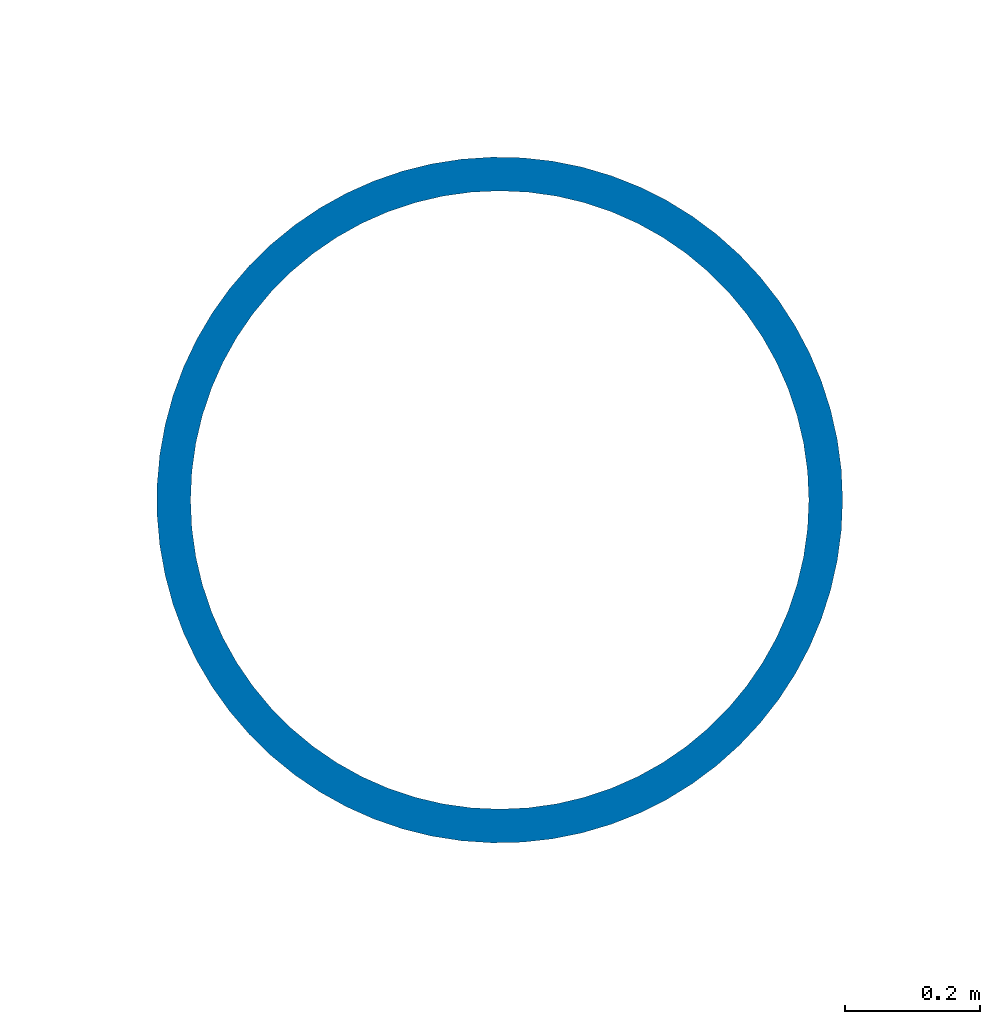
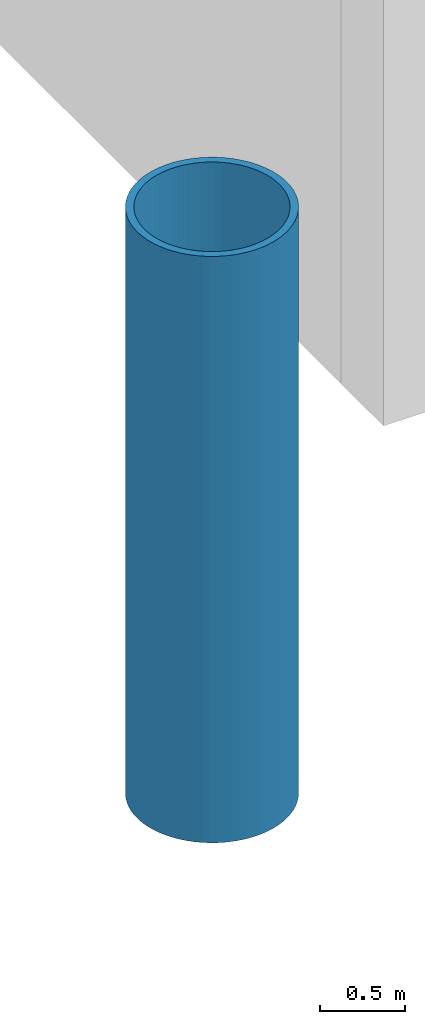
# One storey, part 3 of 100: 1 column.
"""IFC4 building model written with IfcOpenShell, lengths in metres."""

from ifc_helpers import new_model, si_unit, direction, frame, origin, origin_2d, place, context, subcontext, project, spatial, hollow_circle, extrude, material, material_profile, profile_set, type_object, element, save


model = new_model("IFC4")

# Units and contexts
model_context = context("Model", 3, precision=1e-05, world=origin(), true_north=direction((0.0, 1.0)))
body_context = subcontext(model_context, "Body", "Model", "MODEL_VIEW")
ifc_project = project(units=[si_unit("LENGTHUNIT", "METRE"), si_unit("AREAUNIT", "SQUARE_METRE"), si_unit("VOLUMEUNIT", "CUBIC_METRE"), si_unit("PLANEANGLEUNIT", "RADIAN"), si_unit("MASSUNIT", "GRAM", prefix="KILO")], contexts=[model_context])

# Site, building, storey
site_placement = place(None, origin())
site = spatial("IfcSite", under=ifc_project, at=site_placement, CompositionType="ELEMENT")
building_placement = place(site_placement, origin())
building = spatial("IfcBuilding", under=site, at=building_placement, Name="Cresset Court Congress Hotel", CompositionType="ELEMENT")
storey_placement = place(building_placement, frame((0.0, 0.0, 10.199951171875)))
storey = spatial("IfcBuildingStorey", under=building, at=storey_placement, Name="L02", CompositionType="ELEMENT", Elevation=10.199951171875)

# Column
ifc_material = material(Name="Structural steel Q355B", Category="steel")
ifc_material_profile = material_profile(ifc_material, hollow_circle(Radius=0.508056640625, WallThickness=0.050048828125, at=origin_2d()), Name="CHS1016x50")
ifc_profile_set = profile_set([ifc_material_profile], Name="Structural steel Q355B")
column_type = type_object("IfcColumnType", Name="Mast tube 1016x50", PredefinedType="COLUMN", material=ifc_profile_set)
column_placement = place(storey_placement, frame((55.800048828125, 55.800048828125, 0.0), z_axis=(0.0, 0.0, 1.0), x_axis=(1.0, 0.0, 0.0)))
element("IfcColumn", 1, at=column_placement, inside=storey, type_object=column_type, Name="Mast M1", PredefinedType="COLUMN", context=body_context, shape_type="SweptSolid", body=[
    extrude(hollow_circle(Radius=0.508056640625, WallThickness=0.050048828125, at=origin_2d()), origin(), (0.0, 0.0, 1.0), 4.199951171875),
])

save(model, "model.ifc")
